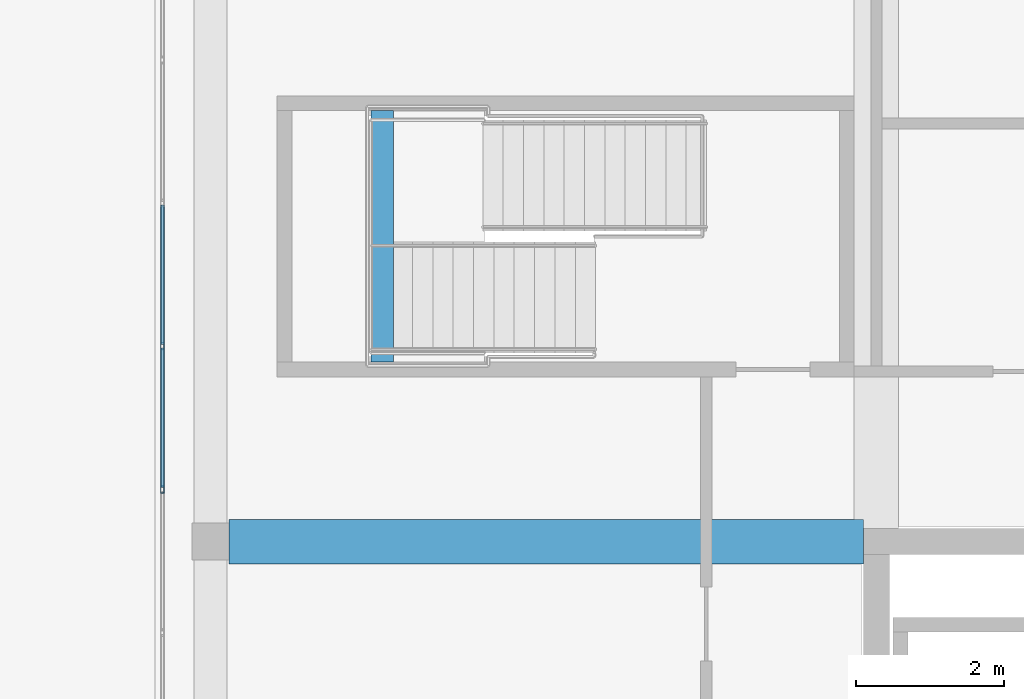
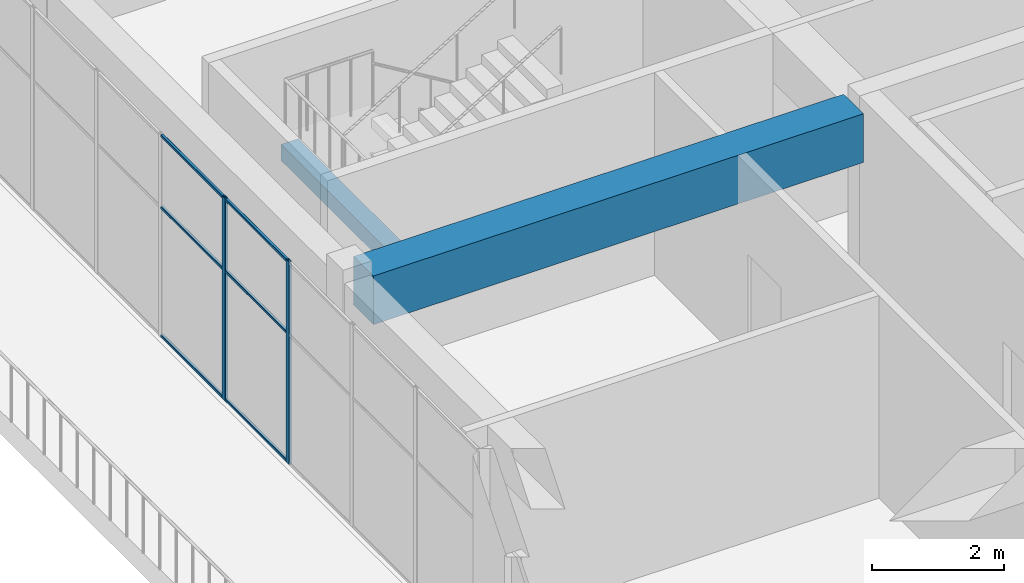
# One storey, part 12 of 34: 8 members, 2 beams, 1 element without a shape of its own.
"""IFC4 building model written with IfcOpenShell, lengths in metres."""

from ifc_helpers import new_model, si_unit, direction, frame, origin, origin_2d, place, context, subcontext, project, spatial, rectangle, hollow_rectangle, extrude, material, layer, layer_set, material_profile, profile_set, type_object, element, aggregate, save


model = new_model("IFC4")

# Units and contexts
model_context = context("Model", 3, precision=1e-05, world=origin(), true_north=direction((0.0, 1.0)))
body_context = subcontext(model_context, "Body", "Model", "MODEL_VIEW")
ifc_project = project(units=[si_unit("LENGTHUNIT", "METRE"), si_unit("AREAUNIT", "SQUARE_METRE"), si_unit("VOLUMEUNIT", "CUBIC_METRE"), si_unit("PLANEANGLEUNIT", "RADIAN"), si_unit("MASSUNIT", "GRAM", prefix="KILO")], contexts=[model_context])

# Site, building, storey
site_placement = place(None, origin())
site = spatial("IfcSite", under=ifc_project, at=site_placement, CompositionType="ELEMENT")
building_placement = place(site_placement, origin())
building = spatial("IfcBuilding", under=site, at=building_placement, Name="Tuart Plaza Theatre", CompositionType="ELEMENT")
storey_placement = place(building_placement, frame((0.0, 0.0, 53.5)))
storey = spatial("IfcBuildingStorey", under=building, at=storey_placement, Name="L13", CompositionType="ELEMENT", Elevation=53.5)

# Beams
ifc_material_1 = material(Name="Concrete N40 (40 MPa)", Category="concrete")
ifc_material_profile_1 = material_profile(ifc_material_1, rectangle(XDim=0.300048828125, YDim=0.300048828125, at=origin_2d()), Name="BEAM 300x300 Concrete N40 (40 MPa)")
ifc_profile_set_1 = profile_set([ifc_material_profile_1], Name="Concrete N40 (40 MPa)")
beam_type_1 = type_object("IfcBeamType", Name="BEAM 300x300 Concrete N40 (40 MPa)", PredefinedType="BEAM", material=ifc_profile_set_1)
beam_1_placement = place(storey_placement, frame((116.320068359375, 88.824951171875, 1.64990234375), z_axis=(0.0, -1.0, 0.0), x_axis=(1.0, 0.0, 0.0)))
element("IfcBeam", 1, at=beam_1_placement, inside=storey, type_object=beam_type_1, Name="RB541", PredefinedType="BEAM", context=body_context, shape_type="SweptSolid", body=[
    extrude(rectangle(XDim=0.300048828125, YDim=0.300048828125, at=origin_2d()), origin(), (0.0, 0.0, 1.0), 3.39990234375),
])
ifc_material_2 = material(Name="Concrete N40 (40 MPa)", Category="concrete")
ifc_material_profile_2 = material_profile(ifc_material_2, rectangle(XDim=0.60009765625, YDim=0.89990234375, at=origin_2d()), Name="BEAM 600x900 Concrete N40 (40 MPa)")
ifc_profile_set_2 = profile_set([ifc_material_profile_2], Name="Concrete N40 (40 MPa)")
beam_type_2 = type_object("IfcBeamType", Name="BEAM 600x900 Concrete N40 (40 MPa)", PredefinedType="BEAM", material=ifc_profile_set_2)
beam_2_placement = place(storey_placement, frame((114.25, 83.0, 3.300048828125), z_axis=(1.0, 0.0, 0.0), x_axis=(0.0, 1.0, 0.0)))
element("IfcBeam", 2, at=beam_2_placement, inside=storey, type_object=beam_type_2, Name="RB323", PredefinedType="BEAM", context=body_context, shape_type="SweptSolid", body=[
    extrude(rectangle(XDim=0.60009765625, YDim=0.89990234375, at=origin_2d()), origin(), (0.0, 0.0, 1.0), 8.574951171875),
])

# Curtain wall, members
ifc_material_3 = material(Name="Aluminium and glass", Category="aluminium")
ifc_layer = layer(ifc_material_3, 0.10009765625)
ifc_layer_set = layer_set([ifc_layer], Name="CURTAIN WALL 2000 module")
curtain_wall_type = type_object("IfcCurtainWallType", Name="CURTAIN WALL 2000 module", PredefinedType="NOTDEFINED", material=ifc_layer_set)
curtain_wall_placement = place(storey_placement, origin())
curtain_wall = element("IfcCurtainWall", 3, at=curtain_wall_placement, inside=storey, type_object=curtain_wall_type, Name="CW118", PredefinedType="NOTDEFINED")
ifc_material_4 = material(Name="Aluminium 6063-T5", Category="aluminium")
ifc_material_profile_3 = material_profile(ifc_material_4, hollow_rectangle(XDim=0.050048828125, YDim=0.10009765625, WallThickness=0.00390625, InnerFilletRadius=0.00390625, OuterFilletRadius=0.008056640625, at=origin_2d()), Name="RHS 100x50x4")
ifc_profile_set_3 = profile_set([ifc_material_profile_3], Name="Aluminium 6063-T5")
member_type_1 = type_object("IfcMemberType", Name="MULLION RHS 100x50x4", PredefinedType="MULLION", material=ifc_profile_set_3)
member_1_placement = place(storey_placement, frame((113.35009765625, 85.639892578125, 0.0), z_axis=(0.0, 0.0, 1.0), x_axis=(1.0, 0.0, 0.0)))
member_1 = element("IfcMember", 4, at=member_1_placement, type_object=member_type_1, Name="CW118 mullion 7", PredefinedType="MULLION", context=body_context, shape_type="SweptSolid", body=[
    extrude(hollow_rectangle(XDim=0.050048828125, YDim=0.10009765625, WallThickness=0.00390625, InnerFilletRadius=0.00390625, OuterFilletRadius=0.008056640625, at=origin_2d()), origin(), (0.0, 0.0, 1.0), 3.75),
])
member_2_placement = place(storey_placement, frame((113.35009765625, 83.705078125, 0.0), z_axis=(0.0, 0.0, 1.0), x_axis=(1.0, 0.0, 0.0)))
member_2 = element("IfcMember", 5, at=member_2_placement, type_object=member_type_1, Name="CW118 mullion 8", PredefinedType="MULLION", context=body_context, shape_type="SweptSolid", body=[
    extrude(hollow_rectangle(XDim=0.050048828125, YDim=0.10009765625, WallThickness=0.00390625, InnerFilletRadius=0.00390625, OuterFilletRadius=0.008056640625, at=origin_2d()), origin(), (0.0, 0.0, 1.0), 3.75),
])
ifc_material_5 = material(Name="Aluminium 6063-T5", Category="aluminium")
ifc_material_profile_4 = material_profile(ifc_material_5, hollow_rectangle(XDim=0.050048828125, YDim=0.050048828125, WallThickness=0.00390625, InnerFilletRadius=0.00390625, OuterFilletRadius=0.008056640625, at=origin_2d()), Name="RHS 50x50x4")
ifc_profile_set_4 = profile_set([ifc_material_profile_4], Name="Aluminium 6063-T5")
member_type_2 = type_object("IfcMemberType", Name="TRANSOM RHS 50x50x4", PredefinedType="USERDEFINED", material=ifc_profile_set_4)
member_3_placement = place(storey_placement, frame((113.35009765625, 87.550048828125, 0.02490234375), z_axis=(0.0, -1.0, 0.0), x_axis=(1.0, 0.0, 0.0)))
member_3 = element("IfcMember", 6, at=member_3_placement, type_object=member_type_2, Name="CW118 transom 6.1", ObjectType="TRANSOM", PredefinedType="USERDEFINED", context=body_context, shape_type="SweptSolid", body=[
    extrude(hollow_rectangle(XDim=0.050048828125, YDim=0.050048828125, WallThickness=0.00390625, InnerFilletRadius=0.00390625, OuterFilletRadius=0.008056640625, at=origin_2d()), origin(), (0.0, 0.0, 1.0), 1.885009765625),
])
member_4_placement = place(storey_placement, frame((113.35009765625, 87.550048828125, 2.39990234375), z_axis=(0.0, -1.0, 0.0), x_axis=(1.0, 0.0, 0.0)))
member_4 = element("IfcMember", 7, at=member_4_placement, type_object=member_type_2, Name="CW118 transom 6.2", ObjectType="TRANSOM", PredefinedType="USERDEFINED", context=body_context, shape_type="SweptSolid", body=[
    extrude(hollow_rectangle(XDim=0.050048828125, YDim=0.050048828125, WallThickness=0.00390625, InnerFilletRadius=0.00390625, OuterFilletRadius=0.008056640625, at=origin_2d()), origin(), (0.0, 0.0, 1.0), 1.885009765625),
])
member_5_placement = place(storey_placement, frame((113.35009765625, 87.550048828125, 3.72509765625), z_axis=(0.0, -1.0, 0.0), x_axis=(1.0, 0.0, 0.0)))
member_5 = element("IfcMember", 8, at=member_5_placement, type_object=member_type_2, Name="CW118 transom 6.3", ObjectType="TRANSOM", PredefinedType="USERDEFINED", context=body_context, shape_type="SweptSolid", body=[
    extrude(hollow_rectangle(XDim=0.050048828125, YDim=0.050048828125, WallThickness=0.00390625, InnerFilletRadius=0.00390625, OuterFilletRadius=0.008056640625, at=origin_2d()), origin(), (0.0, 0.0, 1.0), 1.885009765625),
])
member_6_placement = place(storey_placement, frame((113.35009765625, 85.614990234375, 0.02490234375), z_axis=(0.0, -1.0, 0.0), x_axis=(1.0, 0.0, 0.0)))
member_6 = element("IfcMember", 9, at=member_6_placement, type_object=member_type_2, Name="CW118 transom 7.1", ObjectType="TRANSOM", PredefinedType="USERDEFINED", context=body_context, shape_type="SweptSolid", body=[
    extrude(hollow_rectangle(XDim=0.050048828125, YDim=0.050048828125, WallThickness=0.00390625, InnerFilletRadius=0.00390625, OuterFilletRadius=0.008056640625, at=origin_2d()), origin(), (0.0, 0.0, 1.0), 1.885009765625),
])
member_7_placement = place(storey_placement, frame((113.35009765625, 85.614990234375, 2.39990234375), z_axis=(0.0, -1.0, 0.0), x_axis=(1.0, 0.0, 0.0)))
member_7 = element("IfcMember", 10, at=member_7_placement, type_object=member_type_2, Name="CW118 transom 7.2", ObjectType="TRANSOM", PredefinedType="USERDEFINED", context=body_context, shape_type="SweptSolid", body=[
    extrude(hollow_rectangle(XDim=0.050048828125, YDim=0.050048828125, WallThickness=0.00390625, InnerFilletRadius=0.00390625, OuterFilletRadius=0.008056640625, at=origin_2d()), origin(), (0.0, 0.0, 1.0), 1.885009765625),
])
member_8_placement = place(storey_placement, frame((113.35009765625, 85.614990234375, 3.72509765625), z_axis=(0.0, -1.0, 0.0), x_axis=(1.0, 0.0, 0.0)))
member_8 = element("IfcMember", 11, at=member_8_placement, type_object=member_type_2, Name="CW118 transom 7.3", ObjectType="TRANSOM", PredefinedType="USERDEFINED", context=body_context, shape_type="SweptSolid", body=[
    extrude(hollow_rectangle(XDim=0.050048828125, YDim=0.050048828125, WallThickness=0.00390625, InnerFilletRadius=0.00390625, OuterFilletRadius=0.008056640625, at=origin_2d()), origin(), (0.0, 0.0, 1.0), 1.885009765625),
])
aggregate(curtain_wall, [member_1, member_2, member_3, member_4, member_5, member_6, member_7, member_8])

save(model, "model.ifc")
